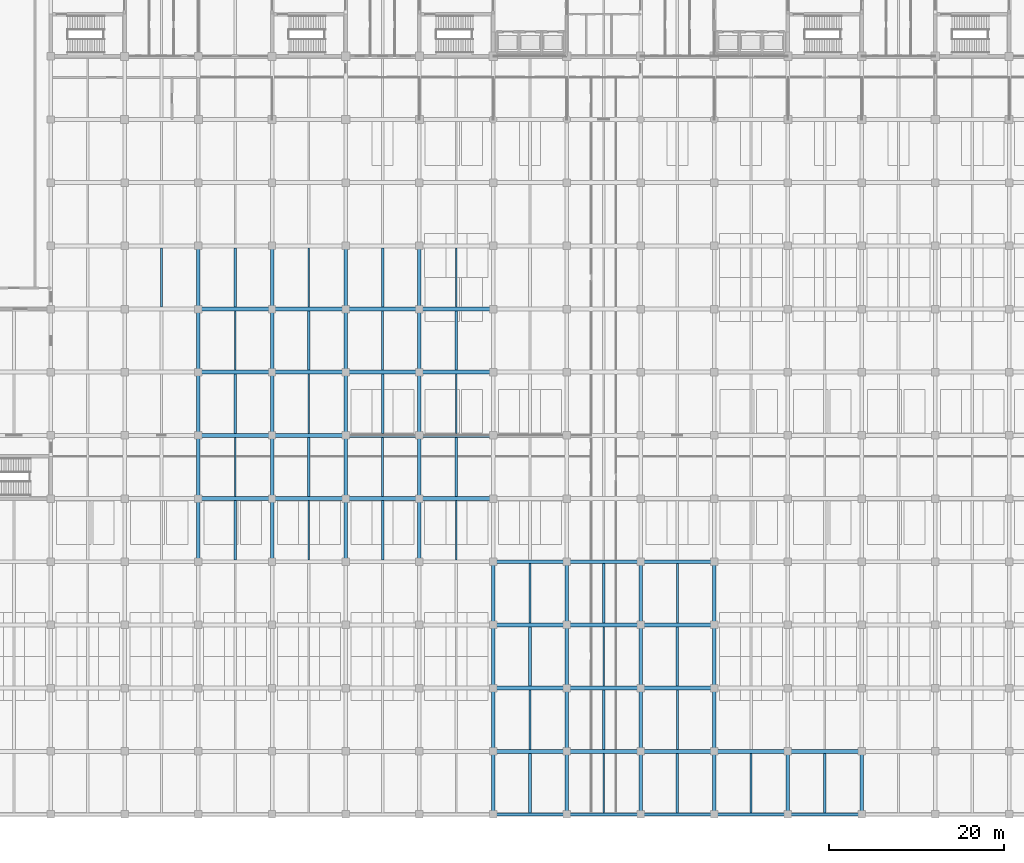
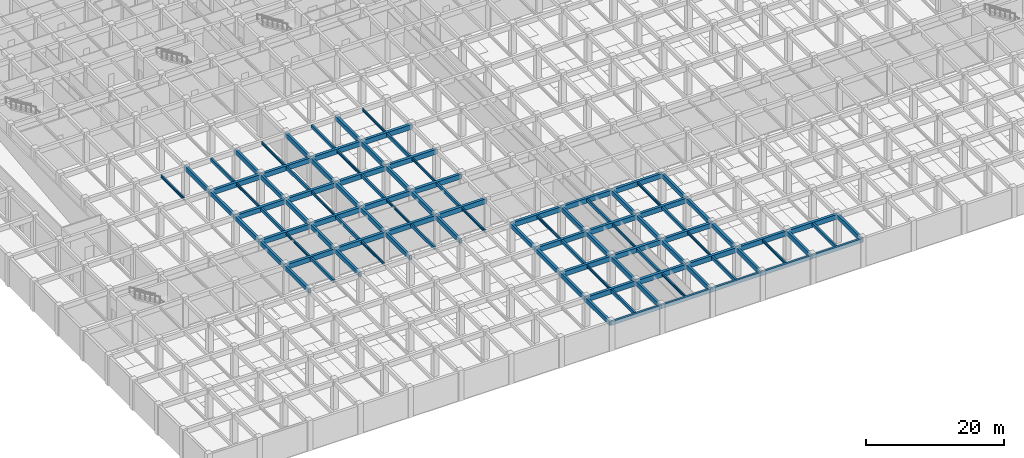
# One storey, part 4 of 48: 108 beams.
"""IFC4 building model written with IfcOpenShell, lengths in metres."""

from ifc_helpers import new_model, si_unit, direction, frame, origin, origin_2d, place, context, subcontext, project, spatial, rectangle, i_section, extrude, material, material_profile, profile_set, type_object, element, save


model = new_model("IFC4")

# Units and contexts
model_context = context("Model", 3, precision=1e-05, world=origin(), true_north=direction((0.0, 1.0)))
body_context = subcontext(model_context, "Body", "Model", "MODEL_VIEW")
ifc_project = project(units=[si_unit("LENGTHUNIT", "METRE"), si_unit("AREAUNIT", "SQUARE_METRE"), si_unit("VOLUMEUNIT", "CUBIC_METRE"), si_unit("PLANEANGLEUNIT", "RADIAN"), si_unit("MASSUNIT", "GRAM", prefix="KILO")], contexts=[model_context])

# Site, building, storey
site_placement = place(None, origin())
site = spatial("IfcSite", under=ifc_project, at=site_placement, CompositionType="ELEMENT")
building_placement = place(site_placement, origin())
building = spatial("IfcBuilding", under=site, at=building_placement, Name="Chengyuan Square Courthouse", CompositionType="ELEMENT")
storey_placement = place(building_placement, frame((0.0, 0.0, -5.39990234375)))
storey = spatial("IfcBuildingStorey", under=building, at=storey_placement, Name="B01", CompositionType="ELEMENT", Elevation=-5.39990234375)

# Beams
ifc_material_1 = material(Name="Concrete C40", Category="concrete")
ifc_material_profile_1 = material_profile(ifc_material_1, rectangle(XDim=0.449951171875, YDim=0.85009765625, at=origin_2d()), Name="RC-BM-450x850")
ifc_profile_set_1 = profile_set([ifc_material_profile_1], Name="Concrete C40")
beam_type_1 = type_object("IfcBeamType", Name="BM-01", PredefinedType="USERDEFINED", material=ifc_profile_set_1)
beam_1_placement = place(storey_placement, frame((67.199951171875, 7.199951171875, 4.554931640625), z_axis=(1.0, 0.0, 0.0), x_axis=(0.0, 1.0, 0.0)))
element("IfcBeam", 1, at=beam_1_placement, inside=storey, type_object=beam_type_1, Name="Girder BM-B01-0700", ObjectType="GIRDER", PredefinedType="USERDEFINED", context=body_context, shape_type="SweptSolid", body=[
    extrude(rectangle(XDim=0.449951171875, YDim=0.85009765625, at=origin_2d()), origin(), (0.0, 0.0, 1.0), 8.400146484375),
])
for number, where, z_axis, x_axis, name in (
    (2, (75.60009765625, 7.199951171875, 4.554931640625), (1.0, 0.0, 0.0), (0.0, 1.0, 0.0), "Girder BM-B01-0701"),
    (3, (84.0, 7.199951171875, 4.554931640625), (1.0, 0.0, 0.0), (0.0, 1.0, 0.0), "Girder BM-B01-0702"),
):
    element("IfcBeam", number, at=place(storey_placement, frame(where, z_axis=z_axis, x_axis=x_axis)), inside=storey, type_object=beam_type_1, Name=name, ObjectType="GIRDER", PredefinedType="USERDEFINED", context=body_context, shape_type="SweptSolid", body=[
        extrude(rectangle(XDim=0.449951171875, YDim=0.85009765625, at=origin_2d()), origin(), (0.0, 0.0, 1.0), 8.39990234375),
    ])
beam_2_placement = place(storey_placement, frame((92.39990234375, 7.199951171875, 4.554931640625), z_axis=(1.0, 0.0, 0.0), x_axis=(0.0, 1.0, 0.0)))
element("IfcBeam", 4, at=beam_2_placement, inside=storey, type_object=beam_type_1, Name="Girder BM-B01-0703", ObjectType="GIRDER", PredefinedType="USERDEFINED", context=body_context, shape_type="SweptSolid", body=[
    extrude(rectangle(XDim=0.449951171875, YDim=0.85009765625, at=origin_2d()), origin(), (0.0, 0.0, 1.0), 8.400146484375),
])
beam_3_placement = place(storey_placement, frame((100.800048828125, 7.199951171875, 4.554931640625), z_axis=(1.0, 0.0, 0.0), x_axis=(0.0, 1.0, 0.0)))
element("IfcBeam", 5, at=beam_3_placement, inside=storey, type_object=beam_type_1, Name="Girder BM-B01-0704", ObjectType="GIRDER", PredefinedType="USERDEFINED", context=body_context, shape_type="SweptSolid", body=[
    extrude(rectangle(XDim=0.449951171875, YDim=0.85009765625, at=origin_2d()), origin(), (0.0, 0.0, 1.0), 8.39990234375),
])
beam_4_placement = place(storey_placement, frame((67.199951171875, 14.39990234375, 4.554931640625), z_axis=(1.0, 0.0, 0.0), x_axis=(0.0, 1.0, 0.0)))
element("IfcBeam", 6, at=beam_4_placement, inside=storey, type_object=beam_type_1, Name="Girder BM-B01-0720", ObjectType="GIRDER", PredefinedType="USERDEFINED", context=body_context, shape_type="SweptSolid", body=[
    extrude(rectangle(XDim=0.449951171875, YDim=0.85009765625, at=origin_2d()), origin(), (0.0, 0.0, 1.0), 8.400146484375),
])
for number, where, z_axis, x_axis, name in (
    (7, (75.60009765625, 14.39990234375, 4.554931640625), (1.0, 0.0, 0.0), (0.0, 1.0, 0.0), "Girder BM-B01-0721"),
    (8, (84.0, 14.39990234375, 4.554931640625), (1.0, 0.0, 0.0), (0.0, 1.0, 0.0), "Girder BM-B01-0722"),
):
    element("IfcBeam", number, at=place(storey_placement, frame(where, z_axis=z_axis, x_axis=x_axis)), inside=storey, type_object=beam_type_1, Name=name, ObjectType="GIRDER", PredefinedType="USERDEFINED", context=body_context, shape_type="SweptSolid", body=[
        extrude(rectangle(XDim=0.449951171875, YDim=0.85009765625, at=origin_2d()), origin(), (0.0, 0.0, 1.0), 8.39990234375),
    ])
beam_5_placement = place(storey_placement, frame((67.199951171875, 21.60009765625, 4.554931640625), z_axis=(1.0, 0.0, 0.0), x_axis=(0.0, 1.0, 0.0)))
element("IfcBeam", 9, at=beam_5_placement, inside=storey, type_object=beam_type_1, Name="Girder BM-B01-0740", ObjectType="GIRDER", PredefinedType="USERDEFINED", context=body_context, shape_type="SweptSolid", body=[
    extrude(rectangle(XDim=0.449951171875, YDim=0.85009765625, at=origin_2d()), origin(), (0.0, 0.0, 1.0), 8.400146484375),
])
for number, where, z_axis, x_axis, name in (
    (10, (75.60009765625, 21.60009765625, 4.554931640625), (1.0, 0.0, 0.0), (0.0, 1.0, 0.0), "Girder BM-B01-0741"),
    (11, (84.0, 21.60009765625, 4.554931640625), (1.0, 0.0, 0.0), (0.0, 1.0, 0.0), "Girder BM-B01-0742"),
):
    element("IfcBeam", number, at=place(storey_placement, frame(where, z_axis=z_axis, x_axis=x_axis)), inside=storey, type_object=beam_type_1, Name=name, ObjectType="GIRDER", PredefinedType="USERDEFINED", context=body_context, shape_type="SweptSolid", body=[
        extrude(rectangle(XDim=0.449951171875, YDim=0.85009765625, at=origin_2d()), origin(), (0.0, 0.0, 1.0), 8.39990234375),
    ])
beam_6_placement = place(storey_placement, frame((67.199951171875, 28.800048828125, 4.554931640625), z_axis=(1.0, 0.0, 0.0), x_axis=(0.0, 1.0, 0.0)))
element("IfcBeam", 12, at=beam_6_placement, inside=storey, type_object=beam_type_1, Name="Girder BM-B01-0760", ObjectType="GIRDER", PredefinedType="USERDEFINED", context=body_context, shape_type="SweptSolid", body=[
    extrude(rectangle(XDim=0.449951171875, YDim=0.85009765625, at=origin_2d()), origin(), (0.0, 0.0, 1.0), 8.400146484375),
])
for number, where, z_axis, x_axis, name in (
    (13, (75.60009765625, 28.800048828125, 4.554931640625), (1.0, 0.0, 0.0), (0.0, 1.0, 0.0), "Girder BM-B01-0761"),
    (14, (84.0, 28.800048828125, 4.554931640625), (1.0, 0.0, 0.0), (0.0, 1.0, 0.0), "Girder BM-B01-0762"),
    (15, (33.60009765625, 36.0, 4.554931640625), (1.0, 0.0, 0.0), (0.0, 1.0, 0.0), "Girder BM-B01-0776"),
    (16, (42.0, 36.0, 4.554931640625), (1.0, 0.0, 0.0), (0.0, 1.0, 0.0), "Girder BM-B01-0777"),
):
    element("IfcBeam", number, at=place(storey_placement, frame(where, z_axis=z_axis, x_axis=x_axis)), inside=storey, type_object=beam_type_1, Name=name, ObjectType="GIRDER", PredefinedType="USERDEFINED", context=body_context, shape_type="SweptSolid", body=[
        extrude(rectangle(XDim=0.449951171875, YDim=0.85009765625, at=origin_2d()), origin(), (0.0, 0.0, 1.0), 8.39990234375),
    ])
beam_7_placement = place(storey_placement, frame((50.39990234375, 36.0, 4.554931640625), z_axis=(1.0, 0.0, 0.0), x_axis=(0.0, 1.0, 0.0)))
element("IfcBeam", 17, at=beam_7_placement, inside=storey, type_object=beam_type_1, Name="Girder BM-B01-0778", ObjectType="GIRDER", PredefinedType="USERDEFINED", context=body_context, shape_type="SweptSolid", body=[
    extrude(rectangle(XDim=0.449951171875, YDim=0.85009765625, at=origin_2d()), origin(), (0.0, 0.0, 1.0), 8.400146484375),
])
for number, where, z_axis, x_axis, name in (
    (18, (58.800048828125, 36.0, 4.554931640625), (1.0, 0.0, 0.0), (0.0, 1.0, 0.0), "Girder BM-B01-0779"),
    (19, (33.60009765625, 43.199951171875, 4.554931640625), (1.0, 0.0, 0.0), (0.0, 1.0, 0.0), "Girder BM-B01-0796"),
    (20, (42.0, 43.199951171875, 4.554931640625), (1.0, 0.0, 0.0), (0.0, 1.0, 0.0), "Girder BM-B01-0797"),
):
    element("IfcBeam", number, at=place(storey_placement, frame(where, z_axis=z_axis, x_axis=x_axis)), inside=storey, type_object=beam_type_1, Name=name, ObjectType="GIRDER", PredefinedType="USERDEFINED", context=body_context, shape_type="SweptSolid", body=[
        extrude(rectangle(XDim=0.449951171875, YDim=0.85009765625, at=origin_2d()), origin(), (0.0, 0.0, 1.0), 8.39990234375),
    ])
beam_8_placement = place(storey_placement, frame((50.39990234375, 43.199951171875, 4.554931640625), z_axis=(1.0, 0.0, 0.0), x_axis=(0.0, 1.0, 0.0)))
element("IfcBeam", 21, at=beam_8_placement, inside=storey, type_object=beam_type_1, Name="Girder BM-B01-0798", ObjectType="GIRDER", PredefinedType="USERDEFINED", context=body_context, shape_type="SweptSolid", body=[
    extrude(rectangle(XDim=0.449951171875, YDim=0.85009765625, at=origin_2d()), origin(), (0.0, 0.0, 1.0), 8.400146484375),
])
for number, where, z_axis, x_axis, name in (
    (22, (58.800048828125, 43.199951171875, 4.554931640625), (1.0, 0.0, 0.0), (0.0, 1.0, 0.0), "Girder BM-B01-0799"),
    (23, (33.60009765625, 50.39990234375, 4.554931640625), (1.0, 0.0, 0.0), (0.0, 1.0, 0.0), "Girder BM-B01-0816"),
    (24, (42.0, 50.39990234375, 4.554931640625), (1.0, 0.0, 0.0), (0.0, 1.0, 0.0), "Girder BM-B01-0817"),
):
    element("IfcBeam", number, at=place(storey_placement, frame(where, z_axis=z_axis, x_axis=x_axis)), inside=storey, type_object=beam_type_1, Name=name, ObjectType="GIRDER", PredefinedType="USERDEFINED", context=body_context, shape_type="SweptSolid", body=[
        extrude(rectangle(XDim=0.449951171875, YDim=0.85009765625, at=origin_2d()), origin(), (0.0, 0.0, 1.0), 8.39990234375),
    ])
beam_9_placement = place(storey_placement, frame((50.39990234375, 50.39990234375, 4.554931640625), z_axis=(1.0, 0.0, 0.0), x_axis=(0.0, 1.0, 0.0)))
element("IfcBeam", 25, at=beam_9_placement, inside=storey, type_object=beam_type_1, Name="Girder BM-B01-0818", ObjectType="GIRDER", PredefinedType="USERDEFINED", context=body_context, shape_type="SweptSolid", body=[
    extrude(rectangle(XDim=0.449951171875, YDim=0.85009765625, at=origin_2d()), origin(), (0.0, 0.0, 1.0), 8.400146484375),
])
for number, where, z_axis, x_axis, name in (
    (26, (58.800048828125, 50.39990234375, 4.554931640625), (1.0, 0.0, 0.0), (0.0, 1.0, 0.0), "Girder BM-B01-0819"),
    (27, (33.60009765625, 57.60009765625, 4.554931640625), (1.0, 0.0, 0.0), (0.0, 1.0, 0.0), "Girder BM-B01-0836"),
    (28, (42.0, 57.60009765625, 4.554931640625), (1.0, 0.0, 0.0), (0.0, 1.0, 0.0), "Girder BM-B01-0837"),
):
    element("IfcBeam", number, at=place(storey_placement, frame(where, z_axis=z_axis, x_axis=x_axis)), inside=storey, type_object=beam_type_1, Name=name, ObjectType="GIRDER", PredefinedType="USERDEFINED", context=body_context, shape_type="SweptSolid", body=[
        extrude(rectangle(XDim=0.449951171875, YDim=0.85009765625, at=origin_2d()), origin(), (0.0, 0.0, 1.0), 8.39990234375),
    ])
beam_10_placement = place(storey_placement, frame((50.39990234375, 57.60009765625, 4.554931640625), z_axis=(1.0, 0.0, 0.0), x_axis=(0.0, 1.0, 0.0)))
element("IfcBeam", 29, at=beam_10_placement, inside=storey, type_object=beam_type_1, Name="Girder BM-B01-0838", ObjectType="GIRDER", PredefinedType="USERDEFINED", context=body_context, shape_type="SweptSolid", body=[
    extrude(rectangle(XDim=0.449951171875, YDim=0.85009765625, at=origin_2d()), origin(), (0.0, 0.0, 1.0), 8.400146484375),
])
beam_11_placement = place(storey_placement, frame((58.800048828125, 57.60009765625, 4.554931640625), z_axis=(1.0, 0.0, 0.0), x_axis=(0.0, 1.0, 0.0)))
element("IfcBeam", 30, at=beam_11_placement, inside=storey, type_object=beam_type_1, Name="Girder BM-B01-0839", ObjectType="GIRDER", PredefinedType="USERDEFINED", context=body_context, shape_type="SweptSolid", body=[
    extrude(rectangle(XDim=0.449951171875, YDim=0.85009765625, at=origin_2d()), origin(), (0.0, 0.0, 1.0), 8.39990234375),
])
ifc_material_profile_2 = material_profile(ifc_material_1, rectangle(XDim=0.39990234375, YDim=0.75, at=origin_2d()), Name="RC-BM-400x750")
ifc_profile_set_2 = profile_set([ifc_material_profile_2], Name="Concrete C40")
beam_type_2 = type_object("IfcBeamType", Name="BM-02", PredefinedType="USERDEFINED", material=ifc_profile_set_2)
for number, where, z_axis, x_axis, name in (
    (31, (33.60009765625, 28.800048828125, 4.60498046875), (0.0, 1.0, 0.0), (-1.0, 0.0, 0.0), "Girder BM-B01-1074"),
    (32, (33.60009765625, 36.0, 4.60498046875), (0.0, 1.0, 0.0), (-1.0, 0.0, 0.0), "Girder BM-B01-1075"),
    (33, (33.60009765625, 43.199951171875, 4.60498046875), (0.0, 1.0, 0.0), (-1.0, 0.0, 0.0), "Girder BM-B01-1076"),
):
    element("IfcBeam", number, at=place(storey_placement, frame(where, z_axis=z_axis, x_axis=x_axis)), inside=storey, type_object=beam_type_2, Name=name, ObjectType="GIRDER", PredefinedType="USERDEFINED", context=body_context, shape_type="SweptSolid", body=[
        extrude(rectangle(XDim=0.39990234375, YDim=0.75, at=origin_2d()), origin(), (0.0, 0.0, 1.0), 7.199951171875),
    ])
beam_12_placement = place(storey_placement, frame((33.60009765625, 50.39990234375, 4.60498046875), z_axis=(0.0, 1.0, 0.0), x_axis=(-1.0, 0.0, 0.0)))
element("IfcBeam", 34, at=beam_12_placement, inside=storey, type_object=beam_type_2, Name="Girder BM-B01-1077", ObjectType="GIRDER", PredefinedType="USERDEFINED", context=body_context, shape_type="SweptSolid", body=[
    extrude(rectangle(XDim=0.39990234375, YDim=0.75, at=origin_2d()), origin(), (0.0, 0.0, 1.0), 7.2001953125),
])
for number, where, z_axis, x_axis, name in (
    (35, (33.60009765625, 57.60009765625, 4.60498046875), (0.0, 1.0, 0.0), (-1.0, 0.0, 0.0), "Girder BM-B01-1078"),
    (36, (42.0, 28.800048828125, 4.60498046875), (0.0, 1.0, 0.0), (-1.0, 0.0, 0.0), "Girder BM-B01-1090"),
    (37, (42.0, 36.0, 4.60498046875), (0.0, 1.0, 0.0), (-1.0, 0.0, 0.0), "Girder BM-B01-1091"),
    (38, (42.0, 43.199951171875, 4.60498046875), (0.0, 1.0, 0.0), (-1.0, 0.0, 0.0), "Girder BM-B01-1092"),
):
    element("IfcBeam", number, at=place(storey_placement, frame(where, z_axis=z_axis, x_axis=x_axis)), inside=storey, type_object=beam_type_2, Name=name, ObjectType="GIRDER", PredefinedType="USERDEFINED", context=body_context, shape_type="SweptSolid", body=[
        extrude(rectangle(XDim=0.39990234375, YDim=0.75, at=origin_2d()), origin(), (0.0, 0.0, 1.0), 7.199951171875),
    ])
beam_13_placement = place(storey_placement, frame((42.0, 50.39990234375, 4.60498046875), z_axis=(0.0, 1.0, 0.0), x_axis=(-1.0, 0.0, 0.0)))
element("IfcBeam", 39, at=beam_13_placement, inside=storey, type_object=beam_type_2, Name="Girder BM-B01-1093", ObjectType="GIRDER", PredefinedType="USERDEFINED", context=body_context, shape_type="SweptSolid", body=[
    extrude(rectangle(XDim=0.39990234375, YDim=0.75, at=origin_2d()), origin(), (0.0, 0.0, 1.0), 7.2001953125),
])
for number, where, z_axis, x_axis, name in (
    (40, (42.0, 57.60009765625, 4.60498046875), (0.0, 1.0, 0.0), (-1.0, 0.0, 0.0), "Girder BM-B01-1094"),
    (41, (50.39990234375, 28.800048828125, 4.60498046875), (0.0, 1.0, 0.0), (-1.0, 0.0, 0.0), "Girder BM-B01-1106"),
    (42, (50.39990234375, 36.0, 4.60498046875), (0.0, 1.0, 0.0), (-1.0, 0.0, 0.0), "Girder BM-B01-1107"),
    (43, (50.39990234375, 43.199951171875, 4.60498046875), (0.0, 1.0, 0.0), (-1.0, 0.0, 0.0), "Girder BM-B01-1108"),
):
    element("IfcBeam", number, at=place(storey_placement, frame(where, z_axis=z_axis, x_axis=x_axis)), inside=storey, type_object=beam_type_2, Name=name, ObjectType="GIRDER", PredefinedType="USERDEFINED", context=body_context, shape_type="SweptSolid", body=[
        extrude(rectangle(XDim=0.39990234375, YDim=0.75, at=origin_2d()), origin(), (0.0, 0.0, 1.0), 7.199951171875),
    ])
beam_14_placement = place(storey_placement, frame((50.39990234375, 50.39990234375, 4.60498046875), z_axis=(0.0, 1.0, 0.0), x_axis=(-1.0, 0.0, 0.0)))
element("IfcBeam", 44, at=beam_14_placement, inside=storey, type_object=beam_type_2, Name="Girder BM-B01-1109", ObjectType="GIRDER", PredefinedType="USERDEFINED", context=body_context, shape_type="SweptSolid", body=[
    extrude(rectangle(XDim=0.39990234375, YDim=0.75, at=origin_2d()), origin(), (0.0, 0.0, 1.0), 7.2001953125),
])
for number, where, z_axis, x_axis, name in (
    (45, (50.39990234375, 57.60009765625, 4.60498046875), (0.0, 1.0, 0.0), (-1.0, 0.0, 0.0), "Girder BM-B01-1110"),
    (46, (58.800048828125, 28.800048828125, 4.60498046875), (0.0, 1.0, 0.0), (-1.0, 0.0, 0.0), "Girder BM-B01-1122"),
    (47, (58.800048828125, 36.0, 4.60498046875), (0.0, 1.0, 0.0), (-1.0, 0.0, 0.0), "Girder BM-B01-1123"),
    (48, (58.800048828125, 43.199951171875, 4.60498046875), (0.0, 1.0, 0.0), (-1.0, 0.0, 0.0), "Girder BM-B01-1124"),
):
    element("IfcBeam", number, at=place(storey_placement, frame(where, z_axis=z_axis, x_axis=x_axis)), inside=storey, type_object=beam_type_2, Name=name, ObjectType="GIRDER", PredefinedType="USERDEFINED", context=body_context, shape_type="SweptSolid", body=[
        extrude(rectangle(XDim=0.39990234375, YDim=0.75, at=origin_2d()), origin(), (0.0, 0.0, 1.0), 7.199951171875),
    ])
beam_15_placement = place(storey_placement, frame((58.800048828125, 50.39990234375, 4.60498046875), z_axis=(0.0, 1.0, 0.0), x_axis=(-1.0, 0.0, 0.0)))
element("IfcBeam", 49, at=beam_15_placement, inside=storey, type_object=beam_type_2, Name="Girder BM-B01-1125", ObjectType="GIRDER", PredefinedType="USERDEFINED", context=body_context, shape_type="SweptSolid", body=[
    extrude(rectangle(XDim=0.39990234375, YDim=0.75, at=origin_2d()), origin(), (0.0, 0.0, 1.0), 7.2001953125),
])
for number, where, z_axis, x_axis, name in (
    (50, (58.800048828125, 57.60009765625, 4.60498046875), (0.0, 1.0, 0.0), (-1.0, 0.0, 0.0), "Girder BM-B01-1126"),
    (51, (67.199951171875, 0.0, 4.60498046875), (0.0, 1.0, 0.0), (-1.0, 0.0, 0.0), "Girder BM-B01-1134"),
    (52, (67.199951171875, 7.199951171875, 4.60498046875), (0.0, 1.0, 0.0), (-1.0, 0.0, 0.0), "Girder BM-B01-1135"),
):
    element("IfcBeam", number, at=place(storey_placement, frame(where, z_axis=z_axis, x_axis=x_axis)), inside=storey, type_object=beam_type_2, Name=name, ObjectType="GIRDER", PredefinedType="USERDEFINED", context=body_context, shape_type="SweptSolid", body=[
        extrude(rectangle(XDim=0.39990234375, YDim=0.75, at=origin_2d()), origin(), (0.0, 0.0, 1.0), 7.199951171875),
    ])
beam_16_placement = place(storey_placement, frame((67.199951171875, 14.39990234375, 4.60498046875), z_axis=(0.0, 1.0, 0.0), x_axis=(-1.0, 0.0, 0.0)))
element("IfcBeam", 53, at=beam_16_placement, inside=storey, type_object=beam_type_2, Name="Girder BM-B01-1136", ObjectType="GIRDER", PredefinedType="USERDEFINED", context=body_context, shape_type="SweptSolid", body=[
    extrude(rectangle(XDim=0.39990234375, YDim=0.75, at=origin_2d()), origin(), (0.0, 0.0, 1.0), 7.2001953125),
])
for number, where, z_axis, x_axis, name in (
    (54, (67.199951171875, 21.60009765625, 4.60498046875), (0.0, 1.0, 0.0), (-1.0, 0.0, 0.0), "Girder BM-B01-1137"),
    (55, (75.60009765625, 0.0, 4.60498046875), (0.0, 1.0, 0.0), (-1.0, 0.0, 0.0), "Girder BM-B01-1150"),
    (56, (75.60009765625, 7.199951171875, 4.60498046875), (0.0, 1.0, 0.0), (-1.0, 0.0, 0.0), "Girder BM-B01-1151"),
):
    element("IfcBeam", number, at=place(storey_placement, frame(where, z_axis=z_axis, x_axis=x_axis)), inside=storey, type_object=beam_type_2, Name=name, ObjectType="GIRDER", PredefinedType="USERDEFINED", context=body_context, shape_type="SweptSolid", body=[
        extrude(rectangle(XDim=0.39990234375, YDim=0.75, at=origin_2d()), origin(), (0.0, 0.0, 1.0), 7.199951171875),
    ])
beam_17_placement = place(storey_placement, frame((75.60009765625, 14.39990234375, 4.60498046875), z_axis=(0.0, 1.0, 0.0), x_axis=(-1.0, 0.0, 0.0)))
element("IfcBeam", 57, at=beam_17_placement, inside=storey, type_object=beam_type_2, Name="Girder BM-B01-1152", ObjectType="GIRDER", PredefinedType="USERDEFINED", context=body_context, shape_type="SweptSolid", body=[
    extrude(rectangle(XDim=0.39990234375, YDim=0.75, at=origin_2d()), origin(), (0.0, 0.0, 1.0), 7.2001953125),
])
for number, where, z_axis, x_axis, name in (
    (58, (75.60009765625, 21.60009765625, 4.60498046875), (0.0, 1.0, 0.0), (-1.0, 0.0, 0.0), "Girder BM-B01-1153"),
    (59, (84.0, 0.0, 4.60498046875), (0.0, 1.0, 0.0), (-1.0, 0.0, 0.0), "Girder BM-B01-1166"),
    (60, (84.0, 7.199951171875, 4.60498046875), (0.0, 1.0, 0.0), (-1.0, 0.0, 0.0), "Girder BM-B01-1167"),
):
    element("IfcBeam", number, at=place(storey_placement, frame(where, z_axis=z_axis, x_axis=x_axis)), inside=storey, type_object=beam_type_2, Name=name, ObjectType="GIRDER", PredefinedType="USERDEFINED", context=body_context, shape_type="SweptSolid", body=[
        extrude(rectangle(XDim=0.39990234375, YDim=0.75, at=origin_2d()), origin(), (0.0, 0.0, 1.0), 7.199951171875),
    ])
beam_18_placement = place(storey_placement, frame((84.0, 14.39990234375, 4.60498046875), z_axis=(0.0, 1.0, 0.0), x_axis=(-1.0, 0.0, 0.0)))
element("IfcBeam", 61, at=beam_18_placement, inside=storey, type_object=beam_type_2, Name="Girder BM-B01-1168", ObjectType="GIRDER", PredefinedType="USERDEFINED", context=body_context, shape_type="SweptSolid", body=[
    extrude(rectangle(XDim=0.39990234375, YDim=0.75, at=origin_2d()), origin(), (0.0, 0.0, 1.0), 7.2001953125),
])
for number, where, z_axis, x_axis, name in (
    (62, (84.0, 21.60009765625, 4.60498046875), (0.0, 1.0, 0.0), (-1.0, 0.0, 0.0), "Girder BM-B01-1169"),
    (63, (92.39990234375, 0.0, 4.60498046875), (0.0, 1.0, 0.0), (-1.0, 0.0, 0.0), "Girder BM-B01-1182"),
    (64, (92.39990234375, 7.199951171875, 4.60498046875), (0.0, 1.0, 0.0), (-1.0, 0.0, 0.0), "Girder BM-B01-1183"),
):
    element("IfcBeam", number, at=place(storey_placement, frame(where, z_axis=z_axis, x_axis=x_axis)), inside=storey, type_object=beam_type_2, Name=name, ObjectType="GIRDER", PredefinedType="USERDEFINED", context=body_context, shape_type="SweptSolid", body=[
        extrude(rectangle(XDim=0.39990234375, YDim=0.75, at=origin_2d()), origin(), (0.0, 0.0, 1.0), 7.199951171875),
    ])
beam_19_placement = place(storey_placement, frame((92.39990234375, 14.39990234375, 4.60498046875), z_axis=(0.0, 1.0, 0.0), x_axis=(-1.0, 0.0, 0.0)))
element("IfcBeam", 65, at=beam_19_placement, inside=storey, type_object=beam_type_2, Name="Girder BM-B01-1184", ObjectType="GIRDER", PredefinedType="USERDEFINED", context=body_context, shape_type="SweptSolid", body=[
    extrude(rectangle(XDim=0.39990234375, YDim=0.75, at=origin_2d()), origin(), (0.0, 0.0, 1.0), 7.2001953125),
])
for number, where, z_axis, x_axis, name in (
    (66, (92.39990234375, 21.60009765625, 4.60498046875), (0.0, 1.0, 0.0), (-1.0, 0.0, 0.0), "Girder BM-B01-1185"),
    (67, (100.800048828125, 0.0, 4.60498046875), (0.0, 1.0, 0.0), (-1.0, 0.0, 0.0), "Girder BM-B01-1198"),
    (68, (109.199951171875, 0.0, 4.60498046875), (0.0, 1.0, 0.0), (-1.0, 0.0, 0.0), "Girder BM-B01-1214"),
):
    element("IfcBeam", number, at=place(storey_placement, frame(where, z_axis=z_axis, x_axis=x_axis)), inside=storey, type_object=beam_type_2, Name=name, ObjectType="GIRDER", PredefinedType="USERDEFINED", context=body_context, shape_type="SweptSolid", body=[
        extrude(rectangle(XDim=0.39990234375, YDim=0.75, at=origin_2d()), origin(), (0.0, 0.0, 1.0), 7.199951171875),
    ])
ifc_material_profile_3 = material_profile(ifc_material_1, rectangle(XDim=0.35009765625, YDim=0.64990234375, at=origin_2d()), Name="RC-BM-350x650")
ifc_profile_set_3 = profile_set([ifc_material_profile_3], Name="Concrete C40")
beam_type_3 = type_object("IfcBeamType", Name="BM-03", PredefinedType="SPANDREL", material=ifc_profile_set_3)
beam_20_placement = place(storey_placement, frame((67.199951171875, 0.0, 4.65478515625), z_axis=(1.0, 0.0, 0.0), x_axis=(0.0, 1.0, 0.0)))
element("IfcBeam", 69, at=beam_20_placement, inside=storey, type_object=beam_type_3, Name="Girder BM-B01-0680", PredefinedType="SPANDREL", context=body_context, shape_type="SweptSolid", body=[
    extrude(rectangle(XDim=0.35009765625, YDim=0.64990234375, at=origin_2d()), origin(), (0.0, 0.0, 1.0), 8.400146484375),
])
for number, where, z_axis, x_axis, name in (
    (70, (75.60009765625, 0.0, 4.65478515625), (1.0, 0.0, 0.0), (0.0, 1.0, 0.0), "Girder BM-B01-0681"),
    (71, (84.0, 0.0, 4.65478515625), (1.0, 0.0, 0.0), (0.0, 1.0, 0.0), "Girder BM-B01-0682"),
):
    element("IfcBeam", number, at=place(storey_placement, frame(where, z_axis=z_axis, x_axis=x_axis)), inside=storey, type_object=beam_type_3, Name=name, PredefinedType="SPANDREL", context=body_context, shape_type="SweptSolid", body=[
        extrude(rectangle(XDim=0.35009765625, YDim=0.64990234375, at=origin_2d()), origin(), (0.0, 0.0, 1.0), 8.39990234375),
    ])
beam_21_placement = place(storey_placement, frame((92.39990234375, 0.0, 4.65478515625), z_axis=(1.0, 0.0, 0.0), x_axis=(0.0, 1.0, 0.0)))
element("IfcBeam", 72, at=beam_21_placement, inside=storey, type_object=beam_type_3, Name="Girder BM-B01-0683", PredefinedType="SPANDREL", context=body_context, shape_type="SweptSolid", body=[
    extrude(rectangle(XDim=0.35009765625, YDim=0.64990234375, at=origin_2d()), origin(), (0.0, 0.0, 1.0), 8.400146484375),
])
beam_22_placement = place(storey_placement, frame((100.800048828125, 0.0, 4.65478515625), z_axis=(1.0, 0.0, 0.0), x_axis=(0.0, 1.0, 0.0)))
element("IfcBeam", 73, at=beam_22_placement, inside=storey, type_object=beam_type_3, Name="Girder BM-B01-0684", PredefinedType="SPANDREL", context=body_context, shape_type="SweptSolid", body=[
    extrude(rectangle(XDim=0.35009765625, YDim=0.64990234375, at=origin_2d()), origin(), (0.0, 0.0, 1.0), 8.39990234375),
])
ifc_material_profile_4 = material_profile(ifc_material_1, rectangle(XDim=0.300048828125, YDim=0.550048828125, at=origin_2d()), Name="RC-BM-300x550")
ifc_profile_set_4 = profile_set([ifc_material_profile_4], Name="Concrete C40")
beam_type_4 = type_object("IfcBeamType", Name="BM-04", PredefinedType="BEAM", material=ifc_profile_set_4)
for number, where, z_axis, x_axis, name in (
    (74, (37.800048828125, 29.02490234375, 4.704833984375), (0.0, 1.0, 0.0), (-1.0, 0.0, 0.0), "Secondary Floor Beam SBM-B01-1401"),
    (75, (37.800048828125, 43.425048828125, 4.704833984375), (0.0, 1.0, 0.0), (-1.0, 0.0, 0.0), "Secondary Floor Beam SBM-B01-1403"),
    (76, (37.800048828125, 57.824951171875, 4.704833984375), (0.0, 1.0, 0.0), (-1.0, 0.0, 0.0), "Secondary Floor Beam SBM-B01-1405"),
    (77, (46.199951171875, 36.22509765625, 4.704833984375), (0.0, 1.0, 0.0), (-1.0, 0.0, 0.0), "Secondary Floor Beam SBM-B01-1418"),
    (78, (46.199951171875, 50.625, 4.704833984375), (0.0, 1.0, 0.0), (-1.0, 0.0, 0.0), "Secondary Floor Beam SBM-B01-1420"),
    (79, (54.60009765625, 29.02490234375, 4.704833984375), (0.0, 1.0, 0.0), (-1.0, 0.0, 0.0), "Secondary Floor Beam SBM-B01-1432"),
    (80, (54.60009765625, 43.425048828125, 4.704833984375), (0.0, 1.0, 0.0), (-1.0, 0.0, 0.0), "Secondary Floor Beam SBM-B01-1434"),
    (81, (54.60009765625, 57.824951171875, 4.704833984375), (0.0, 1.0, 0.0), (-1.0, 0.0, 0.0), "Secondary Floor Beam SBM-B01-1436"),
    (82, (63.0, 36.22509765625, 4.704833984375), (0.0, 1.0, 0.0), (-1.0, 0.0, 0.0), "Secondary Floor Beam SBM-B01-1449"),
    (83, (63.0, 50.625, 4.704833984375), (0.0, 1.0, 0.0), (-1.0, 0.0, 0.0), "Secondary Floor Beam SBM-B01-1451"),
):
    element("IfcBeam", number, at=place(storey_placement, frame(where, z_axis=z_axis, x_axis=x_axis)), inside=storey, type_object=beam_type_4, Name=name, PredefinedType="BEAM", context=body_context, shape_type="SweptSolid", body=[
        extrude(rectangle(XDim=0.300048828125, YDim=0.550048828125, at=origin_2d()), origin(), (0.0, 0.0, 1.0), 6.75),
    ])
beam_23_placement = place(storey_placement, frame((71.39990234375, 0.175048828125, 4.704833984375), z_axis=(0.0, 1.0, 0.0), x_axis=(-1.0, 0.0, 0.0)))
element("IfcBeam", 84, at=beam_23_placement, inside=storey, type_object=beam_type_4, Name="Secondary Floor Beam SBM-B01-1458", PredefinedType="BEAM", context=body_context, shape_type="SweptSolid", body=[
    extrude(rectangle(XDim=0.300048828125, YDim=0.550048828125, at=origin_2d()), origin(), (0.0, 0.0, 1.0), 6.800048828125),
])
for number, where, z_axis, x_axis, name in (
    (85, (71.39990234375, 14.625, 4.704833984375), (0.0, 1.0, 0.0), (-1.0, 0.0, 0.0), "Secondary Floor Beam SBM-B01-1460"),
    (86, (79.800048828125, 7.425048828125, 4.704833984375), (0.0, 1.0, 0.0), (-1.0, 0.0, 0.0), "Secondary Floor Beam SBM-B01-1474"),
    (87, (79.800048828125, 21.824951171875, 4.704833984375), (0.0, 1.0, 0.0), (-1.0, 0.0, 0.0), "Secondary Floor Beam SBM-B01-1476"),
):
    element("IfcBeam", number, at=place(storey_placement, frame(where, z_axis=z_axis, x_axis=x_axis)), inside=storey, type_object=beam_type_4, Name=name, PredefinedType="BEAM", context=body_context, shape_type="SweptSolid", body=[
        extrude(rectangle(XDim=0.300048828125, YDim=0.550048828125, at=origin_2d()), origin(), (0.0, 0.0, 1.0), 6.75),
    ])
beam_24_placement = place(storey_placement, frame((88.199951171875, 0.175048828125, 4.704833984375), z_axis=(0.0, 1.0, 0.0), x_axis=(-1.0, 0.0, 0.0)))
element("IfcBeam", 88, at=beam_24_placement, inside=storey, type_object=beam_type_4, Name="Secondary Floor Beam SBM-B01-1488", PredefinedType="BEAM", context=body_context, shape_type="SweptSolid", body=[
    extrude(rectangle(XDim=0.300048828125, YDim=0.550048828125, at=origin_2d()), origin(), (0.0, 0.0, 1.0), 6.800048828125),
])
beam_25_placement = place(storey_placement, frame((88.199951171875, 14.625, 4.704833984375), z_axis=(0.0, 1.0, 0.0), x_axis=(-1.0, 0.0, 0.0)))
element("IfcBeam", 89, at=beam_25_placement, inside=storey, type_object=beam_type_4, Name="Secondary Floor Beam SBM-B01-1490", PredefinedType="BEAM", context=body_context, shape_type="SweptSolid", body=[
    extrude(rectangle(XDim=0.300048828125, YDim=0.550048828125, at=origin_2d()), origin(), (0.0, 0.0, 1.0), 6.75),
])
beam_26_placement = place(storey_placement, frame((105.0, 0.175048828125, 4.704833984375), z_axis=(0.0, 1.0, 0.0), x_axis=(-1.0, 0.0, 0.0)))
element("IfcBeam", 90, at=beam_26_placement, inside=storey, type_object=beam_type_4, Name="Secondary Floor Beam SBM-B01-1518", PredefinedType="BEAM", context=body_context, shape_type="SweptSolid", body=[
    extrude(rectangle(XDim=0.300048828125, YDim=0.550048828125, at=origin_2d()), origin(), (0.0, 0.0, 1.0), 6.800048828125),
])
ifc_material_2 = material(Name="Steel Q355B", Category="steel")
ifc_material_profile_5 = material_profile(ifc_material_2, i_section(OverallWidth=0.199951171875, OverallDepth=0.449951171875, WebThickness=0.009033203125, FlangeThickness=0.013916015625, at=origin_2d()), Name="HN 450x200x9x14")
ifc_profile_set_5 = profile_set([ifc_material_profile_5], Name="Steel Q355B")
beam_type_5 = type_object("IfcBeamType", Name="BM-06", PredefinedType="BEAM", material=ifc_profile_set_5)
for number, where, z_axis, x_axis, name in (
    (91, (29.39990234375, 57.824951171875, 4.7548828125), (0.0, 1.0, 0.0), (-1.0, 0.0, 0.0), "Secondary Floor Beam SBM-B01-1389"),
    (92, (37.800048828125, 36.22509765625, 4.7548828125), (0.0, 1.0, 0.0), (-1.0, 0.0, 0.0), "Secondary Floor Beam SBM-B01-1402"),
    (93, (37.800048828125, 50.625, 4.7548828125), (0.0, 1.0, 0.0), (-1.0, 0.0, 0.0), "Secondary Floor Beam SBM-B01-1404"),
    (94, (46.199951171875, 29.02490234375, 4.7548828125), (0.0, 1.0, 0.0), (-1.0, 0.0, 0.0), "Secondary Floor Beam SBM-B01-1417"),
    (95, (46.199951171875, 43.425048828125, 4.7548828125), (0.0, 1.0, 0.0), (-1.0, 0.0, 0.0), "Secondary Floor Beam SBM-B01-1419"),
    (96, (46.199951171875, 57.824951171875, 4.7548828125), (0.0, 1.0, 0.0), (-1.0, 0.0, 0.0), "Secondary Floor Beam SBM-B01-1421"),
    (97, (54.60009765625, 36.22509765625, 4.7548828125), (0.0, 1.0, 0.0), (-1.0, 0.0, 0.0), "Secondary Floor Beam SBM-B01-1433"),
    (98, (54.60009765625, 50.625, 4.7548828125), (0.0, 1.0, 0.0), (-1.0, 0.0, 0.0), "Secondary Floor Beam SBM-B01-1435"),
    (99, (63.0, 29.02490234375, 4.7548828125), (0.0, 1.0, 0.0), (-1.0, 0.0, 0.0), "Secondary Floor Beam SBM-B01-1448"),
    (100, (63.0, 43.425048828125, 4.7548828125), (0.0, 1.0, 0.0), (-1.0, 0.0, 0.0), "Secondary Floor Beam SBM-B01-1450"),
    (101, (63.0, 57.824951171875, 4.7548828125), (0.0, 1.0, 0.0), (-1.0, 0.0, 0.0), "Secondary Floor Beam SBM-B01-1452"),
    (102, (71.39990234375, 7.425048828125, 4.7548828125), (0.0, 1.0, 0.0), (-1.0, 0.0, 0.0), "Secondary Floor Beam SBM-B01-1459"),
    (103, (71.39990234375, 21.824951171875, 4.7548828125), (0.0, 1.0, 0.0), (-1.0, 0.0, 0.0), "Secondary Floor Beam SBM-B01-1461"),
):
    element("IfcBeam", number, at=place(storey_placement, frame(where, z_axis=z_axis, x_axis=x_axis)), inside=storey, type_object=beam_type_5, Name=name, PredefinedType="BEAM", context=body_context, shape_type="SweptSolid", body=[
        extrude(i_section(OverallWidth=0.199951171875, OverallDepth=0.449951171875, WebThickness=0.009033203125, FlangeThickness=0.013916015625, at=origin_2d()), origin(), (0.0, 0.0, 1.0), 6.75),
    ])
beam_27_placement = place(storey_placement, frame((79.800048828125, 0.175048828125, 4.7548828125), z_axis=(0.0, 1.0, 0.0), x_axis=(-1.0, 0.0, 0.0)))
element("IfcBeam", 104, at=beam_27_placement, inside=storey, type_object=beam_type_5, Name="Secondary Floor Beam SBM-B01-1473", PredefinedType="BEAM", context=body_context, shape_type="SweptSolid", body=[
    extrude(i_section(OverallWidth=0.199951171875, OverallDepth=0.449951171875, WebThickness=0.009033203125, FlangeThickness=0.013916015625, at=origin_2d()), origin(), (0.0, 0.0, 1.0), 6.800048828125),
])
for number, where, z_axis, x_axis, name in (
    (105, (79.800048828125, 14.625, 4.7548828125), (0.0, 1.0, 0.0), (-1.0, 0.0, 0.0), "Secondary Floor Beam SBM-B01-1475"),
    (106, (88.199951171875, 7.425048828125, 4.7548828125), (0.0, 1.0, 0.0), (-1.0, 0.0, 0.0), "Secondary Floor Beam SBM-B01-1489"),
    (107, (88.199951171875, 21.824951171875, 4.7548828125), (0.0, 1.0, 0.0), (-1.0, 0.0, 0.0), "Secondary Floor Beam SBM-B01-1491"),
):
    element("IfcBeam", number, at=place(storey_placement, frame(where, z_axis=z_axis, x_axis=x_axis)), inside=storey, type_object=beam_type_5, Name=name, PredefinedType="BEAM", context=body_context, shape_type="SweptSolid", body=[
        extrude(i_section(OverallWidth=0.199951171875, OverallDepth=0.449951171875, WebThickness=0.009033203125, FlangeThickness=0.013916015625, at=origin_2d()), origin(), (0.0, 0.0, 1.0), 6.75),
    ])
beam_28_placement = place(storey_placement, frame((96.60009765625, 0.175048828125, 4.7548828125), z_axis=(0.0, 1.0, 0.0), x_axis=(-1.0, 0.0, 0.0)))
element("IfcBeam", 108, at=beam_28_placement, inside=storey, type_object=beam_type_5, Name="Secondary Floor Beam SBM-B01-1503", PredefinedType="BEAM", context=body_context, shape_type="SweptSolid", body=[
    extrude(i_section(OverallWidth=0.199951171875, OverallDepth=0.449951171875, WebThickness=0.009033203125, FlangeThickness=0.013916015625, at=origin_2d()), origin(), (0.0, 0.0, 1.0), 6.800048828125),
])

save(model, "model.ifc")
